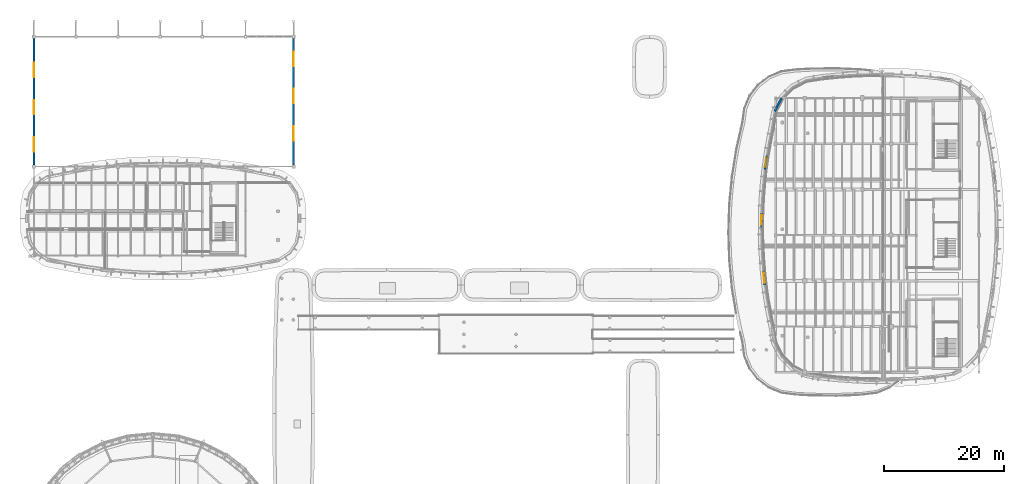
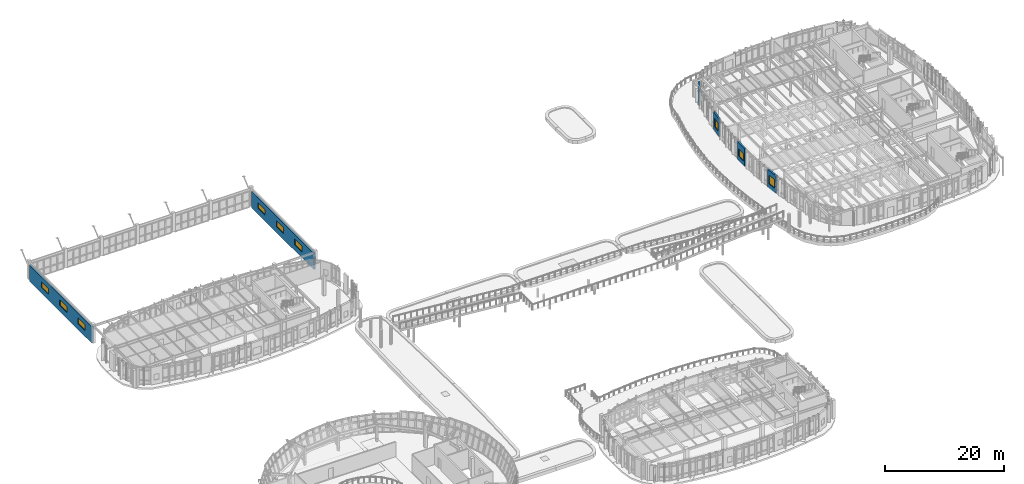
# One storey, part 87 of 111: 9 windows, 6 walls, 9 openings.
"""IFC4 building model written with IfcOpenShell, lengths in metres."""

from ifc_helpers import new_model, si_unit, direction, frame, frame_2d, origin, place, context, subcontext, project, spatial, rectangle, extrude, material, layer, layer_set, type_object, element, fill, save


model = new_model("IFC4")

# Units and contexts
model_context = context("Model", 3, precision=1e-05, world=origin(), true_north=direction((0.0, 1.0)))
body_context = subcontext(model_context, "Body", "Model", "MODEL_VIEW")
ifc_project = project(units=[si_unit("LENGTHUNIT", "METRE"), si_unit("AREAUNIT", "SQUARE_METRE"), si_unit("VOLUMEUNIT", "CUBIC_METRE"), si_unit("PLANEANGLEUNIT", "RADIAN"), si_unit("MASSUNIT", "GRAM", prefix="KILO")], contexts=[model_context])

# Site, building, storey
site_placement = place(None, origin())
site = spatial("IfcSite", under=ifc_project, at=site_placement, CompositionType="ELEMENT")
building_placement = place(site_placement, origin())
building = spatial("IfcBuilding", under=site, at=building_placement, Name="Corveleigh Park Community Centre", CompositionType="ELEMENT")
storey_placement = place(building_placement, frame((0.0, 0.0, 4.800048828125)))
storey = spatial("IfcBuildingStorey", under=building, at=storey_placement, Name="L01", CompositionType="ELEMENT", Elevation=4.800048828125)

# Wall, opening, window
ifc_material_1 = material(Name="Precast concrete C40/50", Category="concrete")
ifc_layer_1 = layer(ifc_material_1, 0.300048828125, Name="Precast concrete C40/50", Category="concrete")
ifc_layer_set_1 = layer_set([ifc_layer_1], Name="Precast concrete C40/50")
wall_type_1 = type_object("IfcWallType", Name="WL-EXT-300", PredefinedType="STANDARD", material=ifc_layer_set_1)
wall_1_placement = place(storey_placement, frame((132.778076171875, 92.302001953125, 0.0), z_axis=(0.0, 0.0, 1.0), x_axis=(0.139087162472, 0.990280142806, 0.0)))
wall_1 = element("IfcWall", 1, at=wall_1_placement, inside=storey, type_object=wall_type_1, Name="V4 L01 Precast Facade Wall", PredefinedType="STANDARD", context=body_context, shape_type="SweptSolid", body=[
    extrude(rectangle(XDim=2.38720703125, YDim=0.300048828125, at=frame_2d((1.193603515625, 0.0))), origin(), (0.0, 0.0, 1.0), 3.636962890625),
])
opening_1_placement = place(wall_1_placement, frame((0.41796875, 0.0, 0.89990234375)))
opening_1 = element("IfcOpeningElement", 2, at=opening_1_placement, cuts=wall_1, Name="Opening W12", PredefinedType="OPENING", context=body_context, shape_type="SweptSolid", body=[
    extrude(rectangle(XDim=1.550048828125, YDim=1.64990234375, at=frame_2d((0.77490234375, 0.824951171875))), frame((0.0, 0.159912109375, 0.0), z_axis=(0.0, -1.0, 0.0), x_axis=(1.0, 0.0, 0.0)), (0.0, 0.0, 1.0), 0.320068359375),
])
ifc_material_2 = material(Name="Low-E double glazing", Category="glass")
window_type_1 = type_object("IfcWindowType", Name="WIN-EXT-1550x1650", PartitioningType="SINGLE_PANEL", PredefinedType="WINDOW", material=ifc_material_2)
window_1_placement = place(opening_1_placement, origin())
window_1 = element("IfcWindow", 3, at=window_1_placement, inside=storey, type_object=window_type_1, Name="V4 L01 Window 60", OverallHeight=1.64990234375, OverallWidth=1.550048828125, PartitioningType="SINGLE_PANEL", PredefinedType="WINDOW", context=body_context, shape_type="SweptSolid", body=[
    extrude(rectangle(XDim=1.550048828125, YDim=1.64990234375, at=frame_2d((0.77490234375, 0.824951171875))), frame((0.0, 0.030029296875, 0.0), z_axis=(0.0, -1.0, 0.0), x_axis=(1.0, 0.0, 0.0)), (0.0, 0.0, 1.0), 0.06005859375),
])
fill(opening_1, window_1)

ifc_layer_2 = layer(ifc_material_1, 0.320068359375, Name="Precast concrete C40/50", Category="concrete")
ifc_layer_set_2 = layer_set([ifc_layer_2], Name="Precast concrete C40/50")
wall_type_2 = type_object("IfcWallType", Name="WL-EXT-320", PredefinedType="STANDARD", material=ifc_layer_set_2)
wall_2_placement = place(storey_placement, frame((132.181884765625, 82.708984375, 0.0), z_axis=(0.0, 0.0, 1.0), x_axis=(0.015551173552, 0.999879073189, 0.0)))
wall_2 = element("IfcWall", 4, at=wall_2_placement, inside=storey, type_object=wall_type_2, Name="V4 L01 Precast Facade Wall", PredefinedType="STANDARD", context=body_context, shape_type="SweptSolid", body=[
    extrude(rectangle(XDim=2.38623046875, YDim=0.320068359375, at=frame_2d((1.193115234375, 0.0))), origin(), (0.0, 0.0, 1.0), 3.636962890625),
])
opening_2_placement = place(wall_2_placement, frame((0.39306640625, 0.0, 0.89990234375)))
opening_2 = element("IfcOpeningElement", 5, at=opening_2_placement, cuts=wall_2, Name="Opening W13", PredefinedType="OPENING", context=body_context, shape_type="SweptSolid", body=[
    extrude(rectangle(XDim=1.60009765625, YDim=1.5, at=frame_2d((0.800048828125, 0.75))), frame((0.0, 0.169921875, 0.0), z_axis=(0.0, -1.0, 0.0), x_axis=(1.0, 0.0, 0.0)), (0.0, 0.0, 1.0), 0.340087890625),
])
window_type_2 = type_object("IfcWindowType", Name="WIN-EXT-1600x1500", PartitioningType="SINGLE_PANEL", PredefinedType="WINDOW", material=ifc_material_2)
window_2_placement = place(opening_2_placement, origin())
window_2 = element("IfcWindow", 6, at=window_2_placement, inside=storey, type_object=window_type_2, Name="V4 L01 Window 61", OverallHeight=1.5, OverallWidth=1.60009765625, PartitioningType="SINGLE_PANEL", PredefinedType="WINDOW", context=body_context, shape_type="SweptSolid", body=[
    extrude(rectangle(XDim=1.60009765625, YDim=1.5, at=frame_2d((0.800048828125, 0.75))), frame((0.0, 0.030029296875, 0.0), z_axis=(0.0, -1.0, 0.0), x_axis=(1.0, 0.0, 0.0)), (0.0, 0.0, 1.0), 0.06005859375),
])
fill(opening_2, window_2)

# Wall, openings, windows
wall_3_placement = place(storey_placement, frame((11.199951171875, 93.074951171875, -0.2880859375), z_axis=(0.0, 0.0, 1.0), x_axis=(0.0, 1.0, 0.0)))
wall_3 = element("IfcWall", 7, at=wall_3_placement, inside=storey, type_object=wall_type_2, Name="Sports Hall Upper Clerestory Wall 7", PredefinedType="STANDARD", context=body_context, shape_type="SweptSolid", body=[
    extrude(rectangle(XDim=21.050048828125, YDim=0.320068359375, at=frame_2d((10.52490234375, 0.0))), origin(), (0.0, 0.0, 1.0), 3.35107421875),
])
opening_3_placement = place(wall_3_placement, frame((2.199951171875, 0.0, 1.199951171875)))
opening_3 = element("IfcOpeningElement", 8, at=opening_3_placement, cuts=wall_3, Name="Opening W23", PredefinedType="OPENING", context=body_context, shape_type="SweptSolid", body=[
    extrude(rectangle(XDim=2.39990234375, YDim=1.199951171875, at=frame_2d((1.199951171875, 0.60009765625))), frame((0.0, 0.169921875, 0.0), z_axis=(0.0, -1.0, 0.0), x_axis=(1.0, 0.0, 0.0)), (0.0, 0.0, 1.0), 0.340087890625),
])
opening_4_placement = place(wall_3_placement, frame((8.39990234375, 0.0, 1.199951171875)))
opening_4 = element("IfcOpeningElement", 9, at=opening_4_placement, cuts=wall_3, Name="Opening W23", PredefinedType="OPENING", context=body_context, shape_type="SweptSolid", body=[
    extrude(rectangle(XDim=2.39990234375, YDim=1.199951171875, at=frame_2d((1.199951171875, 0.60009765625))), frame((0.0, 0.169921875, 0.0), z_axis=(0.0, -1.0, 0.0), x_axis=(1.0, 0.0, 0.0)), (0.0, 0.0, 1.0), 0.340087890625),
])
opening_5_placement = place(wall_3_placement, frame((14.60009765625, 0.0, 1.199951171875)))
opening_5 = element("IfcOpeningElement", 10, at=opening_5_placement, cuts=wall_3, Name="Opening W23", PredefinedType="OPENING", context=body_context, shape_type="SweptSolid", body=[
    extrude(rectangle(XDim=2.39990234375, YDim=1.199951171875, at=frame_2d((1.199951171875, 0.60009765625))), frame((0.0, 0.169921875, 0.0), z_axis=(0.0, -1.0, 0.0), x_axis=(1.0, 0.0, 0.0)), (0.0, 0.0, 1.0), 0.340087890625),
])
window_type_3 = type_object("IfcWindowType", Name="WIN-EXT-2400x1200", PartitioningType="SINGLE_PANEL", PredefinedType="WINDOW", material=ifc_material_2)
window_3_placement = place(opening_3_placement, origin())
window_3 = element("IfcWindow", 11, at=window_3_placement, inside=storey, type_object=window_type_3, Name="Sports Hall Gable Clerestory Window 7-1", OverallHeight=1.199951171875, OverallWidth=2.39990234375, PartitioningType="SINGLE_PANEL", PredefinedType="WINDOW", context=body_context, shape_type="SweptSolid", body=[
    extrude(rectangle(XDim=2.39990234375, YDim=1.199951171875, at=frame_2d((1.199951171875, 0.60009765625))), frame((0.0, 0.030029296875, 0.0), z_axis=(0.0, -1.0, 0.0), x_axis=(1.0, 0.0, 0.0)), (0.0, 0.0, 1.0), 0.06005859375),
])
fill(opening_3, window_3)
window_4_placement = place(opening_4_placement, origin())
window_4 = element("IfcWindow", 12, at=window_4_placement, inside=storey, type_object=window_type_3, Name="Sports Hall Gable Clerestory Window 7-2", OverallHeight=1.199951171875, OverallWidth=2.39990234375, PartitioningType="SINGLE_PANEL", PredefinedType="WINDOW", context=body_context, shape_type="SweptSolid", body=[
    extrude(rectangle(XDim=2.39990234375, YDim=1.199951171875, at=frame_2d((1.199951171875, 0.60009765625))), frame((0.0, 0.030029296875, 0.0), z_axis=(0.0, -1.0, 0.0), x_axis=(1.0, 0.0, 0.0)), (0.0, 0.0, 1.0), 0.06005859375),
])
fill(opening_4, window_4)
window_5_placement = place(opening_5_placement, origin())
window_5 = element("IfcWindow", 13, at=window_5_placement, inside=storey, type_object=window_type_3, Name="Sports Hall Gable Clerestory Window 7-3", OverallHeight=1.199951171875, OverallWidth=2.39990234375, PartitioningType="SINGLE_PANEL", PredefinedType="WINDOW", context=body_context, shape_type="SweptSolid", body=[
    extrude(rectangle(XDim=2.39990234375, YDim=1.199951171875, at=frame_2d((1.199951171875, 0.60009765625))), frame((0.0, 0.030029296875, 0.0), z_axis=(0.0, -1.0, 0.0), x_axis=(1.0, 0.0, 0.0)), (0.0, 0.0, 1.0), 0.06005859375),
])
fill(opening_5, window_5)

wall_4_placement = place(storey_placement, frame((54.39990234375, 114.125, -0.2880859375), z_axis=(0.0, 0.0, 1.0), x_axis=(0.0, -1.0, 0.0)))
wall_4 = element("IfcWall", 14, at=wall_4_placement, inside=storey, type_object=wall_type_2, Name="Sports Hall Upper Clerestory Wall 8", PredefinedType="STANDARD", context=body_context, shape_type="SweptSolid", body=[
    extrude(rectangle(XDim=21.050048828125, YDim=0.320068359375, at=frame_2d((10.52490234375, 0.0))), origin(), (0.0, 0.0, 1.0), 3.35107421875),
])
opening_6_placement = place(wall_4_placement, frame((2.199951171875, 0.0, 1.199951171875)))
opening_6 = element("IfcOpeningElement", 15, at=opening_6_placement, cuts=wall_4, Name="Opening W23", PredefinedType="OPENING", context=body_context, shape_type="SweptSolid", body=[
    extrude(rectangle(XDim=2.39990234375, YDim=1.199951171875, at=frame_2d((1.199951171875, 0.60009765625))), frame((0.0, 0.169921875, 0.0), z_axis=(0.0, -1.0, 0.0), x_axis=(1.0, 0.0, 0.0)), (0.0, 0.0, 1.0), 0.340087890625),
])
opening_7_placement = place(wall_4_placement, frame((8.39990234375, 0.0, 1.199951171875)))
opening_7 = element("IfcOpeningElement", 16, at=opening_7_placement, cuts=wall_4, Name="Opening W23", PredefinedType="OPENING", context=body_context, shape_type="SweptSolid", body=[
    extrude(rectangle(XDim=2.39990234375, YDim=1.199951171875, at=frame_2d((1.199951171875, 0.60009765625))), frame((0.0, 0.169921875, 0.0), z_axis=(0.0, -1.0, 0.0), x_axis=(1.0, 0.0, 0.0)), (0.0, 0.0, 1.0), 0.340087890625),
])
opening_8_placement = place(wall_4_placement, frame((14.60009765625, 0.0, 1.199951171875)))
opening_8 = element("IfcOpeningElement", 17, at=opening_8_placement, cuts=wall_4, Name="Opening W23", PredefinedType="OPENING", context=body_context, shape_type="SweptSolid", body=[
    extrude(rectangle(XDim=2.39990234375, YDim=1.199951171875, at=frame_2d((1.199951171875, 0.60009765625))), frame((0.0, 0.169921875, 0.0), z_axis=(0.0, -1.0, 0.0), x_axis=(1.0, 0.0, 0.0)), (0.0, 0.0, 1.0), 0.340087890625),
])
window_6_placement = place(opening_6_placement, origin())
window_6 = element("IfcWindow", 18, at=window_6_placement, inside=storey, type_object=window_type_3, Name="Sports Hall Gable Clerestory Window 8-1", OverallHeight=1.199951171875, OverallWidth=2.39990234375, PartitioningType="SINGLE_PANEL", PredefinedType="WINDOW", context=body_context, shape_type="SweptSolid", body=[
    extrude(rectangle(XDim=2.39990234375, YDim=1.199951171875, at=frame_2d((1.199951171875, 0.60009765625))), frame((0.0, 0.030029296875, 0.0), z_axis=(0.0, -1.0, 0.0), x_axis=(1.0, 0.0, 0.0)), (0.0, 0.0, 1.0), 0.06005859375),
])
fill(opening_6, window_6)
window_7_placement = place(opening_7_placement, origin())
window_7 = element("IfcWindow", 19, at=window_7_placement, inside=storey, type_object=window_type_3, Name="Sports Hall Gable Clerestory Window 8-2", OverallHeight=1.199951171875, OverallWidth=2.39990234375, PartitioningType="SINGLE_PANEL", PredefinedType="WINDOW", context=body_context, shape_type="SweptSolid", body=[
    extrude(rectangle(XDim=2.39990234375, YDim=1.199951171875, at=frame_2d((1.199951171875, 0.60009765625))), frame((0.0, 0.030029296875, 0.0), z_axis=(0.0, -1.0, 0.0), x_axis=(1.0, 0.0, 0.0)), (0.0, 0.0, 1.0), 0.06005859375),
])
fill(opening_7, window_7)
window_8_placement = place(opening_8_placement, origin())
window_8 = element("IfcWindow", 20, at=window_8_placement, inside=storey, type_object=window_type_3, Name="Sports Hall Gable Clerestory Window 8-3", OverallHeight=1.199951171875, OverallWidth=2.39990234375, PartitioningType="SINGLE_PANEL", PredefinedType="WINDOW", context=body_context, shape_type="SweptSolid", body=[
    extrude(rectangle(XDim=2.39990234375, YDim=1.199951171875, at=frame_2d((1.199951171875, 0.60009765625))), frame((0.0, 0.030029296875, 0.0), z_axis=(0.0, -1.0, 0.0), x_axis=(1.0, 0.0, 0.0)), (0.0, 0.0, 1.0), 0.06005859375),
])
fill(opening_8, window_8)

# Wall
ifc_layer_3 = layer(ifc_material_1, 0.340087890625, Name="Precast concrete C40/50", Category="concrete")
ifc_layer_set_3 = layer_set([ifc_layer_3], Name="Precast concrete C40/50")
wall_type_3 = type_object("IfcWallType", Name="WL-EXT-340", PredefinedType="STANDARD", material=ifc_layer_set_3)
wall_5_placement = place(storey_placement, frame((134.41796875, 101.968017578125, 0.0), z_axis=(0.0, 0.0, 1.0), x_axis=(0.454298846644, 0.890849346376, 0.0)))
element("IfcWall", 21, at=wall_5_placement, inside=storey, type_object=wall_type_3, Name="V4 L01 Precast Facade Wall", PredefinedType="STANDARD", context=body_context, shape_type="SweptSolid", body=[
    extrude(rectangle(XDim=2.48974609375, YDim=0.340087890625, at=frame_2d((1.244873046875, 0.0))), origin(), (0.0, 0.0, 1.0), 3.216064453125),
])

# Wall, opening, window
wall_6_placement = place(storey_placement, frame((132.77587890625, 73.115966796875, 0.0), z_axis=(0.0, 0.0, 1.0), x_axis=(-0.108050387228, 0.99414541885, 0.0)))
wall_6 = element("IfcWall", 22, at=wall_6_placement, inside=storey, type_object=wall_type_3, Name="V4 L01 Precast Facade Wall", PredefinedType="STANDARD", context=body_context, shape_type="SweptSolid", body=[
    extrude(rectangle(XDim=2.385986328125, YDim=0.340087890625, at=frame_2d((1.19287109375, 0.0))), origin(), (0.0, 0.0, 1.0), 3.636962890625),
])
opening_9_placement = place(wall_6_placement, frame((0.367919921875, 0.0, 0.89990234375)))
opening_9 = element("IfcOpeningElement", 23, at=opening_9_placement, cuts=wall_6, Name="Opening W14", PredefinedType="OPENING", context=body_context, shape_type="SweptSolid", body=[
    extrude(rectangle(XDim=1.64990234375, YDim=1.800048828125, at=frame_2d((0.824951171875, 0.89990234375))), frame((0.0, 0.179931640625, 0.0), z_axis=(0.0, -1.0, 0.0), x_axis=(1.0, 0.0, 0.0)), (0.0, 0.0, 1.0), 0.360107421875),
])
window_type_4 = type_object("IfcWindowType", Name="WIN-EXT-1650x1800", PartitioningType="SINGLE_PANEL", PredefinedType="WINDOW", material=ifc_material_2)
window_9_placement = place(opening_9_placement, origin())
window_9 = element("IfcWindow", 24, at=window_9_placement, inside=storey, type_object=window_type_4, Name="V4 L01 Window 62", OverallHeight=1.800048828125, OverallWidth=1.64990234375, PartitioningType="SINGLE_PANEL", PredefinedType="WINDOW", context=body_context, shape_type="SweptSolid", body=[
    extrude(rectangle(XDim=1.64990234375, YDim=1.800048828125, at=frame_2d((0.824951171875, 0.89990234375))), frame((0.0, 0.030029296875, 0.0), z_axis=(0.0, -1.0, 0.0), x_axis=(1.0, 0.0, 0.0)), (0.0, 0.0, 1.0), 0.06005859375),
])
fill(opening_9, window_9)

save(model, "model.ifc")
